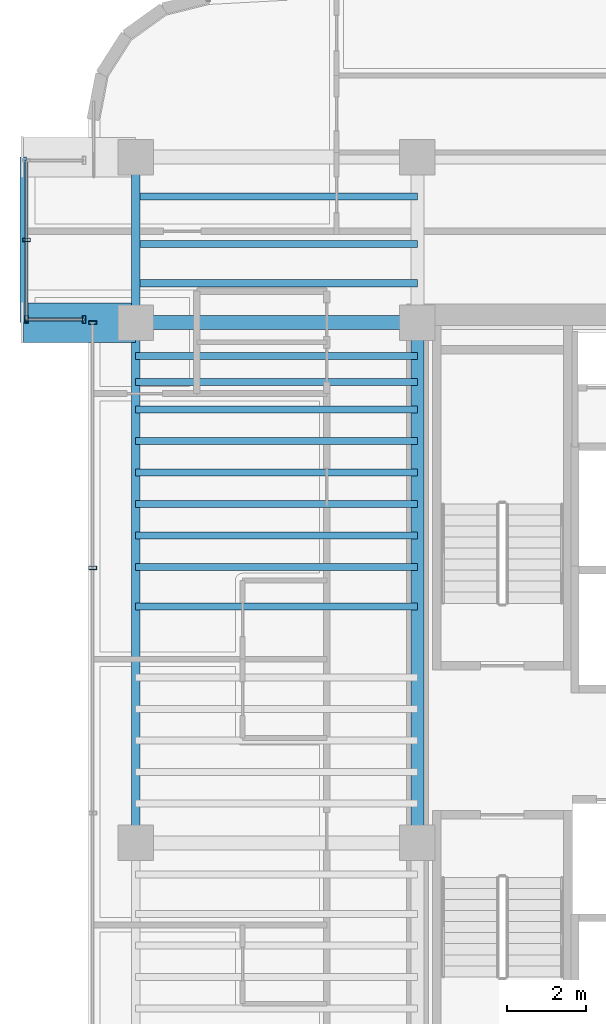
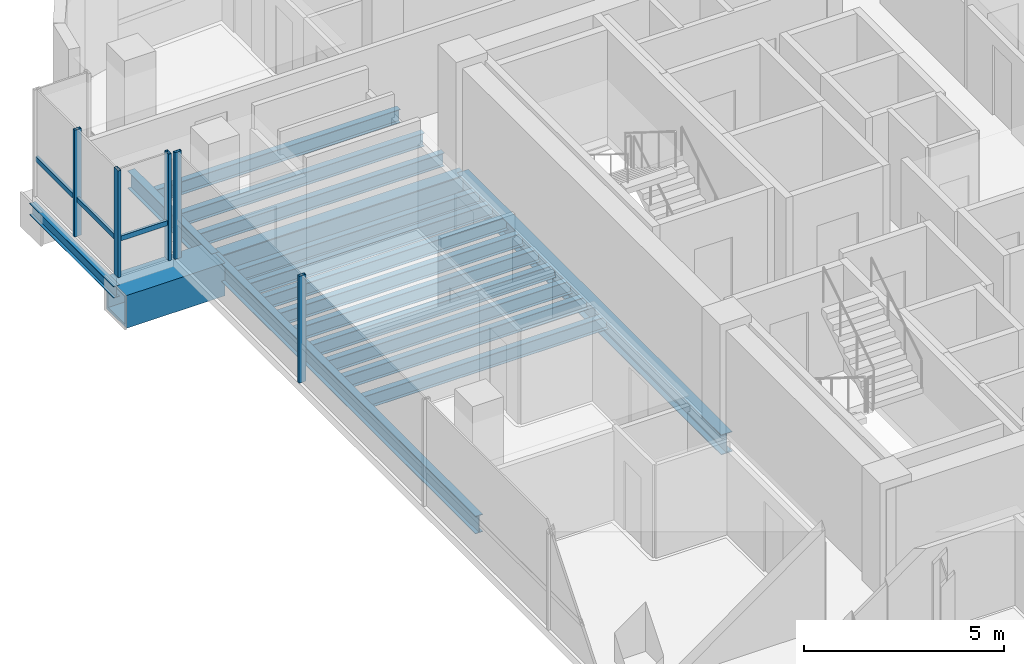
# One storey, part 8 of 23: 18 beams, 7 members, 3 elements without a shape of their own.
"""IFC4 building model written with IfcOpenShell, lengths in metres."""

from ifc_helpers import new_model, si_unit, direction, frame, origin, origin_2d, place, context, subcontext, project, spatial, hollow_rectangle, i_section, extrude, source, transform, mapped, material, material_profile, profile_set, type_object, element, aggregate, save


model = new_model("IFC4")

# Units and contexts
model_context = context("Model", 3, precision=1e-05, world=origin(), true_north=direction((0.0, 1.0)))
body_context = subcontext(model_context, "Body", "Model", "MODEL_VIEW")
ifc_project = project(units=[si_unit("LENGTHUNIT", "METRE"), si_unit("AREAUNIT", "SQUARE_METRE"), si_unit("VOLUMEUNIT", "CUBIC_METRE"), si_unit("PLANEANGLEUNIT", "RADIAN"), si_unit("MASSUNIT", "GRAM", prefix="KILO")], contexts=[model_context])

# Site, building, storey
site_placement = place(None, origin())
site = spatial("IfcSite", under=ifc_project, at=site_placement, CompositionType="ELEMENT")
building_placement = place(site_placement, origin())
building = spatial("IfcBuilding", under=site, at=building_placement, Name="Valdorenza Pilgrim Sanctuary Tower", CompositionType="ELEMENT")
storey_placement = place(building_placement, frame((0.0, 0.0, 226.5)))
storey = spatial("IfcBuildingStorey", under=building, at=storey_placement, Name="L58", CompositionType="ELEMENT", Elevation=226.5)

# Beams
ifc_material_1 = material(Name="Steel ASTM A992 Grade 50", Category="steel")
ifc_material_profile_1 = material_profile(ifc_material_1, i_section(OverallWidth=0.323974609375, OverallDepth=0.611083984375, WebThickness=0.0126953125, FlangeThickness=0.01904296875, at=origin_2d()), Name="W24X104")
ifc_profile_set_1 = profile_set([ifc_material_profile_1], Name="Steel ASTM A992 Grade 50")
beam_type_1 = type_object("IfcBeamType", Name="STR-BM-GRD-W24B", PredefinedType="BEAM", material=ifc_profile_set_1)
shared_shape_1 = source(origin(), body_context, "Body", "SweptSolid", [
    extrude(i_section(OverallWidth=0.323974609375, OverallDepth=0.611083984375, WebThickness=0.0126953125, FlangeThickness=0.01904296875, at=origin_2d()), origin(), (0.0, 0.0, 1.0), 13.2001953125),
])
beam_1_placement = place(storey_placement, frame((-22.64990234375, -2.60009765625, -0.54541015625), z_axis=(0.0, 1.0, 0.0), x_axis=(-1.0, 0.0, 0.0)))
element("IfcBeam", 1, at=beam_1_placement, inside=storey, type_object=beam_type_1, Name="L58 Core Tie Girder CA-W-M0N1", PredefinedType="BEAM", context=body_context, shape_type="MappedRepresentation", body=[
    mapped(shared_shape_1, transform((0.0, 0.0, 0.0), x_axis=(1.0, 0.0, 0.0), y_axis=(0.0, 1.0, 0.0), z_axis=(0.0, 0.0, 1.0), scale=1.0)),
])
ifc_material_profile_2 = material_profile(ifc_material_1, i_section(OverallWidth=0.1708984375, OverallDepth=0.35107421875, WebThickness=0.0068359375, FlangeThickness=0.009765625, at=origin_2d()), Name="W14X30")
ifc_profile_set_2 = profile_set([ifc_material_profile_2], Name="Steel ASTM A992 Grade 50")
beam_type_2 = type_object("IfcBeamType", Name="STR-BM-BOX-W14", PredefinedType="BEAM", material=ifc_profile_set_2)
shared_shape_2 = source(origin(), body_context, "Body", "SweptSolid", [
    extrude(i_section(OverallWidth=0.1708984375, OverallDepth=0.35107421875, WebThickness=0.0068359375, FlangeThickness=0.009765625, at=origin_2d()), origin(), (0.0, 0.0, 1.0), 4.199951171875),
])
beam_2_placement = place(storey_placement, frame((-32.64990234375, 10.60009765625, -0.41552734375), z_axis=(0.0, 1.0, 0.0), x_axis=(-1.0, 0.0, 0.0)))
element("IfcBeam", 2, at=beam_2_placement, inside=storey, type_object=beam_type_2, Name="L58 Glass Box Edge Beam BOX-WA-L58-F", PredefinedType="BEAM", context=body_context, shape_type="MappedRepresentation", body=[
    mapped(shared_shape_2, transform((0.0, 0.0, 0.0), x_axis=(1.0, 0.0, 0.0), y_axis=(0.0, 1.0, 0.0), z_axis=(0.0, 0.0, 1.0), scale=1.0)),
])
ifc_material_2 = material(Name="Steel ASTM A572 Grade 42", Category="steel")
ifc_material_profile_3 = material_profile(ifc_material_2, hollow_rectangle(XDim=1.0, YDim=1.0, WallThickness=0.080078125, at=origin_2d()), Name="BOX 1000x1000x80")
ifc_profile_set_3 = profile_set([ifc_material_profile_3], Name="Steel ASTM A572 Grade 42")
beam_type_3 = type_object("IfcBeamType", Name="STR-BM-PROW-CANT", PredefinedType="BEAM", material=ifc_profile_set_3)
shared_shape_3 = source(origin(), body_context, "Body", "SweptSolid", [
    extrude(hollow_rectangle(XDim=1.0, YDim=1.0, WallThickness=0.080078125, at=origin_2d()), origin(), (0.0, 0.0, 1.0), 2.849853515625),
])
beam_3_placement = place(storey_placement, frame((-29.800048828125, 10.60009765625, -0.739990234375), z_axis=(-1.0, 0.0, 0.0), x_axis=(0.0, -1.0, 0.0)))
element("IfcBeam", 3, at=beam_3_placement, inside=storey, type_object=beam_type_3, Name="L58 Glass Box Cantilever Beam BOX-WA-L58-CT-S", PredefinedType="BEAM", context=body_context, shape_type="MappedRepresentation", body=[
    mapped(shared_shape_3, transform((0.0, 0.0, 0.0), x_axis=(1.0, 0.0, 0.0), y_axis=(0.0, 1.0, 0.0), z_axis=(0.0, 0.0, 1.0), scale=1.0)),
])
ifc_material_profile_4 = material_profile(ifc_material_1, i_section(OverallWidth=0.2109375, OverallDepth=0.5390625, WebThickness=0.01171875, FlangeThickness=0.018798828125, at=origin_2d()), Name="W21X73")
ifc_profile_set_4 = profile_set([ifc_material_profile_4], Name="Steel ASTM A992 Grade 50")
beam_type_4 = type_object("IfcBeamType", Name="STR-BM-SPN-W21B", PredefinedType="SPANDREL", material=ifc_profile_set_4)
shared_shape_4 = source(origin(), body_context, "Body", "SweptSolid", [
    extrude(i_section(OverallWidth=0.2109375, OverallDepth=0.5390625, WebThickness=0.01171875, FlangeThickness=0.018798828125, at=origin_2d()), origin(), (0.0, 0.0, 1.0), 13.2001953125),
])
beam_4_placement = place(storey_placement, frame((-29.800048828125, -2.60009765625, -0.509521484375), z_axis=(0.0, 1.0, 0.0), x_axis=(-1.0, 0.0, 0.0)))
element("IfcBeam", 4, at=beam_4_placement, inside=storey, type_object=beam_type_4, Name="L58 Spandrel Beam WA-W-M0N1", PredefinedType="SPANDREL", context=body_context, shape_type="MappedRepresentation", body=[
    mapped(shared_shape_4, transform((0.0, 0.0, 0.0), x_axis=(1.0, 0.0, 0.0), y_axis=(0.0, 1.0, 0.0), z_axis=(0.0, 0.0, 1.0), scale=1.0)),
])
shared_shape_5 = source(origin(), body_context, "Body", "SweptSolid", [
    extrude(i_section(OverallWidth=0.2109375, OverallDepth=0.5390625, WebThickness=0.01171875, FlangeThickness=0.018798828125, at=origin_2d()), origin(), (0.0, 0.0, 1.0), 4.199951171875),
])
beam_5_placement = place(storey_placement, frame((-29.800048828125, 10.60009765625, -0.509521484375), z_axis=(0.0, 1.0, 0.0), x_axis=(-1.0, 0.0, 0.0)))
element("IfcBeam", 5, at=beam_5_placement, inside=storey, type_object=beam_type_4, Name="L58 Spandrel Beam WA-W-N1N2", PredefinedType="SPANDREL", context=body_context, shape_type="MappedRepresentation", body=[
    mapped(shared_shape_5, transform((0.0, 0.0, 0.0), x_axis=(1.0, 0.0, 0.0), y_axis=(0.0, 1.0, 0.0), z_axis=(0.0, 0.0, 1.0), scale=1.0)),
])
ifc_material_profile_5 = material_profile(ifc_material_1, i_section(OverallWidth=0.35595703125, OverallDepth=0.700927734375, WebThickness=0.016845703125, FlangeThickness=0.02734375, at=origin_2d()), Name="W27X161")
ifc_profile_set_5 = profile_set([ifc_material_profile_5], Name="Steel ASTM A992 Grade 50")
beam_type_5 = type_object("IfcBeamType", Name="STR-BM-GRD-W27", PredefinedType="BEAM", material=ifc_profile_set_5)
shared_shape_6 = source(origin(), body_context, "Body", "SweptSolid", [
    extrude(i_section(OverallWidth=0.35595703125, OverallDepth=0.700927734375, WebThickness=0.016845703125, FlangeThickness=0.02734375, at=origin_2d()), origin(), (0.0, 0.0, 1.0), 7.150146484375),
])
beam_6_placement = place(storey_placement, frame((-29.800048828125, 10.60009765625, -0.590576171875), z_axis=(1.0, 0.0, 0.0), x_axis=(0.0, 1.0, 0.0)))
element("IfcBeam", 6, at=beam_6_placement, inside=storey, type_object=beam_type_5, Name="L58 Floor Girder WA-XW-N1", PredefinedType="BEAM", context=body_context, shape_type="MappedRepresentation", body=[
    mapped(shared_shape_6, transform((0.0, 0.0, 0.0), x_axis=(1.0, 0.0, 0.0), y_axis=(0.0, 1.0, 0.0), z_axis=(0.0, 0.0, 1.0), scale=1.0)),
])
ifc_material_profile_6 = material_profile(ifc_material_1, i_section(OverallWidth=0.177978515625, OverallDepth=0.406005859375, WebThickness=0.0078125, FlangeThickness=0.0126953125, at=origin_2d()), Name="W16X40")
ifc_profile_set_6 = profile_set([ifc_material_profile_6], Name="Steel ASTM A992 Grade 50")
beam_type_6 = type_object("IfcBeamType", Name="STR-BM-JST-W16", PredefinedType="JOIST", material=ifc_profile_set_6)
shared_shape_7 = source(origin(), body_context, "Body", "SweptSolid", [
    extrude(i_section(OverallWidth=0.177978515625, OverallDepth=0.406005859375, WebThickness=0.0078125, FlangeThickness=0.0126953125, at=origin_2d()), origin(), (0.0, 0.0, 1.0), 7.150146484375),
])
for number, where, z_axis, x_axis, name in (
    (7, (-29.800048828125, 3.39990234375, -0.443115234375), (1.0, 0.0, 0.0), (0.0, 1.0, 0.0), "L58 Composite Floor Joist JST-WA-15"),
    (8, (-29.800048828125, 4.39990234375, -0.443115234375), (1.0, 0.0, 0.0), (0.0, 1.0, 0.0), "L58 Composite Floor Joist JST-WA-16"),
    (9, (-29.800048828125, 5.199951171875, -0.443115234375), (1.0, 0.0, 0.0), (0.0, 1.0, 0.0), "L58 Composite Floor Joist JST-WA-17"),
    (10, (-29.800048828125, 6.0, -0.443115234375), (1.0, 0.0, 0.0), (0.0, 1.0, 0.0), "L58 Composite Floor Joist JST-WA-18"),
    (11, (-29.800048828125, 6.800048828125, -0.443115234375), (1.0, 0.0, 0.0), (0.0, 1.0, 0.0), "L58 Composite Floor Joist JST-WA-19"),
    (12, (-29.800048828125, 7.60009765625, -0.443115234375), (1.0, 0.0, 0.0), (0.0, 1.0, 0.0), "L58 Composite Floor Joist JST-WA-20"),
    (13, (-29.800048828125, 8.39990234375, -0.443115234375), (1.0, 0.0, 0.0), (0.0, 1.0, 0.0), "L58 Composite Floor Joist JST-WA-21"),
    (14, (-29.800048828125, 9.10009765625, -0.443115234375), (1.0, 0.0, 0.0), (0.0, 1.0, 0.0), "L58 Composite Floor Joist JST-WA-22"),
    (15, (-29.800048828125, 9.75, -0.443115234375), (1.0, 0.0, 0.0), (0.0, 1.0, 0.0), "L58 Composite Floor Joist JST-WA-23"),
    (16, (-29.800048828125, 11.60009765625, -0.443115234375), (1.0, 0.0, 0.0), (0.0, 1.0, 0.0), "L58 Composite Floor Joist JST-WA-24"),
    (17, (-29.800048828125, 12.60009765625, -0.443115234375), (1.0, 0.0, 0.0), (0.0, 1.0, 0.0), "L58 Composite Floor Joist JST-WA-25"),
    (18, (-29.800048828125, 13.800048828125, -0.443115234375), (1.0, 0.0, 0.0), (0.0, 1.0, 0.0), "L58 Composite Floor Joist JST-WA-26"),
):
    element("IfcBeam", number, at=place(storey_placement, frame(where, z_axis=z_axis, x_axis=x_axis)), inside=storey, type_object=beam_type_6, Name=name, PredefinedType="JOIST", context=body_context, shape_type="MappedRepresentation", body=[
        mapped(shared_shape_7, transform((0.0, 0.0, 0.0), x_axis=(1.0, 0.0, 0.0), y_axis=(0.0, 1.0, 0.0), z_axis=(0.0, 0.0, 1.0), scale=1.0)),
    ])

# Curtain wall, member
ifc_material_3 = material(Name="Curtain-wall IGU glazing", Category="glass")
curtain_wall_type = type_object("IfcCurtainWallType", Name="CW-SYS-02", PredefinedType="NOTDEFINED", material=ifc_material_3)
curtain_wall_1_placement = place(storey_placement, origin())
curtain_wall_1 = element("IfcCurtainWall", 19, at=curtain_wall_1_placement, inside=storey, type_object=curtain_wall_type, Name="L58 Curtain Wall CW-L58-BOX-WA-L58-S", PredefinedType="NOTDEFINED")
ifc_material_4 = material(Name="Anodised aluminium AW-6060", Category="aluminium")
ifc_material_profile_7 = material_profile(ifc_material_4, hollow_rectangle(XDim=0.074951171875, YDim=0.14990234375, WallThickness=0.00390625, at=origin_2d()), Name="ALU-T 150x75x4")
ifc_profile_set_7 = profile_set([ifc_material_profile_7], Name="Anodised aluminium AW-6060")
member_type_1 = type_object("IfcMemberType", Name="CW-TRN-02", PredefinedType="USERDEFINED", material=ifc_profile_set_7)
shared_shape_8 = source(origin(), body_context, "Body", "SweptSolid", [
    extrude(hollow_rectangle(XDim=0.074951171875, YDim=0.14990234375, WallThickness=0.00390625, at=origin_2d()), origin(), (0.0, 0.0, 1.0), 1.4599609375),
])
member_1_placement = place(storey_placement, frame((-31.110107421875, 10.679931640625, 1.1201171875), z_axis=(-1.0, 0.0, 0.0), x_axis=(0.0, -1.0, 0.0)))
member_1 = element("IfcMember", 20, at=member_1_placement, type_object=member_type_1, Name="CW-L58-BOX-WA-L58-S Transom 1", ObjectType="TRANSOM", PredefinedType="USERDEFINED", context=body_context, shape_type="MappedRepresentation", body=[
    mapped(shared_shape_8, transform((0.0, 0.0, 0.0), x_axis=(1.0, 0.0, 0.0), y_axis=(0.0, 1.0, 0.0), z_axis=(0.0, 0.0, 1.0), scale=1.0)),
])

curtain_wall_2_placement = place(storey_placement, origin())
curtain_wall_2 = element("IfcCurtainWall", 21, at=curtain_wall_2_placement, inside=storey, type_object=curtain_wall_type, Name="L58 Curtain Wall CW-L58-BOX-WA-L58-F", PredefinedType="NOTDEFINED")
shared_shape_9 = source(origin(), body_context, "Body", "SweptSolid", [
    extrude(hollow_rectangle(XDim=0.074951171875, YDim=0.14990234375, WallThickness=0.00390625, at=origin_2d()), origin(), (0.0, 0.0, 1.0), 4.0400390625),
])
member_2_placement = place(storey_placement, frame((-32.570068359375, 10.679931640625, 1.1201171875), z_axis=(0.0, 1.0, 0.0), x_axis=(-1.0, 0.0, 0.0)))
member_2 = element("IfcMember", 22, at=member_2_placement, type_object=member_type_1, Name="CW-L58-BOX-WA-L58-F Transom 1", ObjectType="TRANSOM", PredefinedType="USERDEFINED", context=body_context, shape_type="MappedRepresentation", body=[
    mapped(shared_shape_9, transform((0.0, 0.0, 0.0), x_axis=(1.0, 0.0, 0.0), y_axis=(0.0, 1.0, 0.0), z_axis=(0.0, 0.0, 1.0), scale=1.0)),
])

# Curtain wall, members
curtain_wall_3_placement = place(storey_placement, origin())
curtain_wall_3 = element("IfcCurtainWall", 23, at=curtain_wall_3_placement, inside=storey, type_object=curtain_wall_type, Name="L58 Curtain Wall CW-L58-1-1S1", PredefinedType="NOTDEFINED")
ifc_material_profile_8 = material_profile(ifc_material_4, hollow_rectangle(XDim=0.0849609375, YDim=0.199951171875, WallThickness=0.0048828125, at=origin_2d()), Name="ALU-M 200x85x5")
ifc_profile_set_8 = profile_set([ifc_material_profile_8], Name="Anodised aluminium AW-6060")
member_type_2 = type_object("IfcMemberType", Name="CW-MUL-02", PredefinedType="MULLION", material=ifc_profile_set_8)
shared_shape_10 = source(origin(), body_context, "Body", "SweptSolid", [
    extrude(hollow_rectangle(XDim=0.0849609375, YDim=0.199951171875, WallThickness=0.0048828125, at=origin_2d()), origin(), (0.0, 0.0, 1.0), 3.260009765625),
])
member_3_placement = place(storey_placement, frame((-30.889892578125, 4.377685546875, 0.0), z_axis=(0.0, 0.0, 1.0), x_axis=(0.0, 1.0, 0.0)))
member_3 = element("IfcMember", 24, at=member_3_placement, type_object=member_type_2, Name="CW-L58-1-1S1 Mullion 4", PredefinedType="MULLION", context=body_context, shape_type="MappedRepresentation", body=[
    mapped(shared_shape_10, transform((0.0, 0.0, 0.0), x_axis=(1.0, 0.0, 0.0), y_axis=(0.0, 1.0, 0.0), z_axis=(0.0, 0.0, 1.0), scale=1.0)),
])
member_4_placement = place(storey_placement, frame((-30.889892578125, 10.60009765625, 0.0), z_axis=(0.0, 0.0, 1.0), x_axis=(0.0, 1.0, 0.0)))
member_4 = element("IfcMember", 25, at=member_4_placement, type_object=member_type_2, Name="CW-L58-1-1S1 Mullion 5", PredefinedType="MULLION", context=body_context, shape_type="MappedRepresentation", body=[
    mapped(shared_shape_10, transform((0.0, 0.0, 0.0), x_axis=(1.0, 0.0, 0.0), y_axis=(0.0, 1.0, 0.0), z_axis=(0.0, 0.0, 1.0), scale=1.0)),
])
aggregate(curtain_wall_3, [member_3, member_4])

# Member
member_5_placement = place(storey_placement, frame((-31.110107421875, 10.679931640625, 0.0), z_axis=(0.0, 0.0, 1.0), x_axis=(-1.0, 0.0, 0.0)))
member_5 = element("IfcMember", 26, at=member_5_placement, type_object=member_type_2, Name="CW-L58-BOX-WA-L58-S Mullion 1", PredefinedType="MULLION", context=body_context, shape_type="MappedRepresentation", body=[
    mapped(shared_shape_10, transform((0.0, 0.0, 0.0), x_axis=(1.0, 0.0, 0.0), y_axis=(0.0, 1.0, 0.0), z_axis=(0.0, 0.0, 1.0), scale=1.0)),
])

member_6_placement = place(storey_placement, frame((-32.570068359375, 10.679931640625, 0.0), z_axis=(0.0, 0.0, 1.0), x_axis=(-1.0, 0.0, 0.0)))
member_6 = element("IfcMember", 27, at=member_6_placement, type_object=member_type_2, Name="CW-L58-BOX-WA-L58-S Mullion 2", PredefinedType="MULLION", context=body_context, shape_type="MappedRepresentation", body=[
    mapped(shared_shape_10, transform((0.0, 0.0, 0.0), x_axis=(1.0, 0.0, 0.0), y_axis=(0.0, 1.0, 0.0), z_axis=(0.0, 0.0, 1.0), scale=1.0)),
])

aggregate(curtain_wall_1, [member_5, member_6, member_1])

member_7_placement = place(storey_placement, frame((-32.570068359375, 12.699951171875, 0.0), z_axis=(0.0, 0.0, 1.0), x_axis=(0.0, 1.0, 0.0)))
member_7 = element("IfcMember", 28, at=member_7_placement, type_object=member_type_2, Name="CW-L58-BOX-WA-L58-F Mullion 2", PredefinedType="MULLION", context=body_context, shape_type="MappedRepresentation", body=[
    mapped(shared_shape_10, transform((0.0, 0.0, 0.0), x_axis=(1.0, 0.0, 0.0), y_axis=(0.0, 1.0, 0.0), z_axis=(0.0, 0.0, 1.0), scale=1.0)),
])

aggregate(curtain_wall_2, [member_7, member_2])

save(model, "model.ifc")
